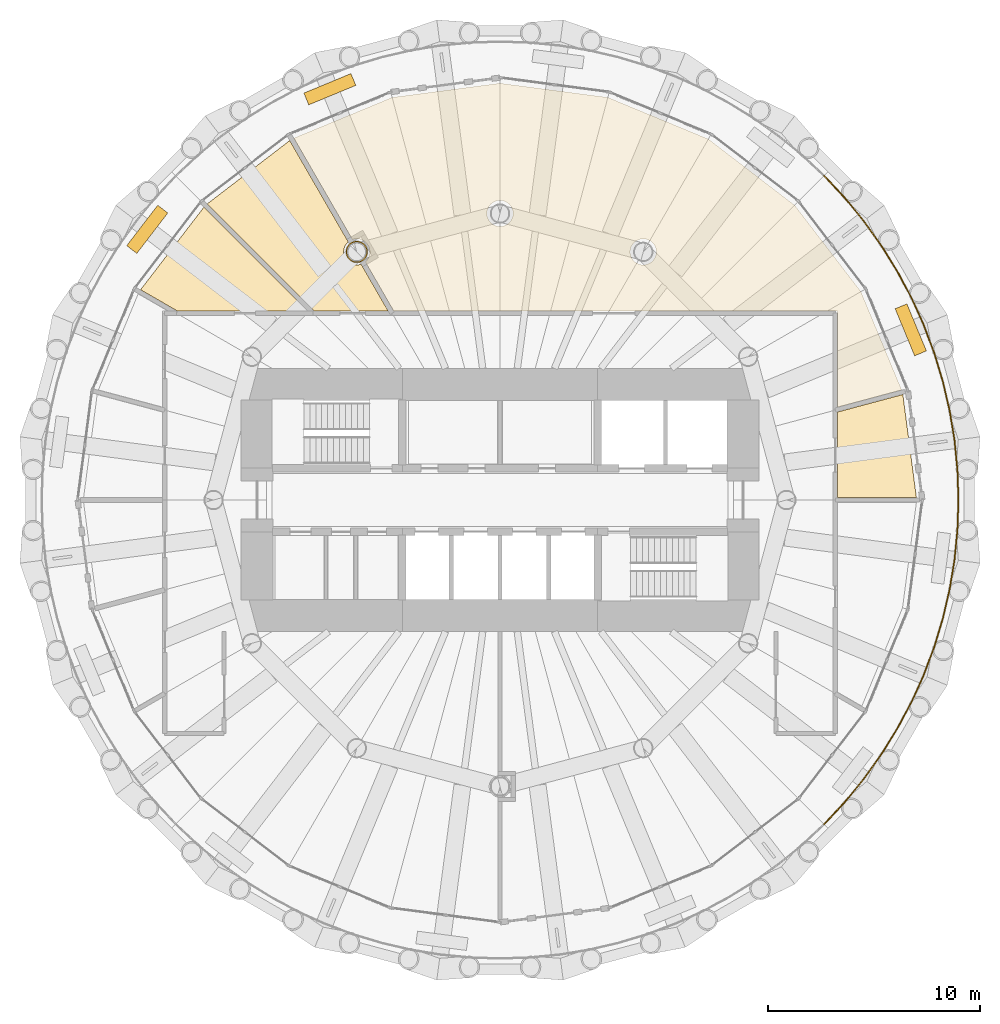
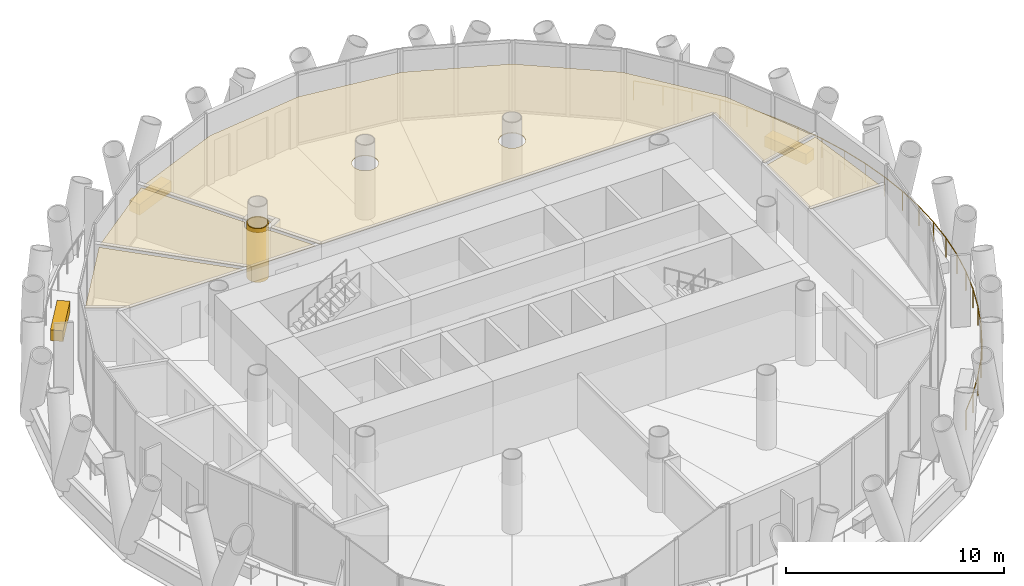
# One storey, part 15 of 16: 8 coverings, 1 railing.
"""IFC4 building model written with IfcOpenShell, lengths in metres."""

from ifc_helpers import new_model, si_unit, direction, frame, origin, origin_2d, place, context, subcontext, project, spatial, polyline, rectangle, circle, outline, extrude, material, layer, layer_set, type_object, element, save


model = new_model("IFC4")

# Units and contexts
model_context = context("Model", 3, precision=1e-05, world=origin(), true_north=direction((0.0, 1.0)))
body_context = subcontext(model_context, "Body", "Model", "MODEL_VIEW")
ifc_project = project(units=[si_unit("LENGTHUNIT", "METRE"), si_unit("AREAUNIT", "SQUARE_METRE"), si_unit("VOLUMEUNIT", "CUBIC_METRE"), si_unit("PLANEANGLEUNIT", "RADIAN"), si_unit("MASSUNIT", "GRAM", prefix="KILO")], contexts=[model_context])

# Site, building, storey
site_placement = place(None, origin())
site = spatial("IfcSite", under=ifc_project, at=site_placement, CompositionType="ELEMENT")
building_placement = place(site_placement, origin())
building = spatial("IfcBuilding", under=site, at=building_placement, Name="Qaws Media Tower", CompositionType="ELEMENT")
storey_placement = place(building_placement, frame((0.0, 0.0, 252.800048828125)))
storey = spatial("IfcBuildingStorey", under=building, at=storey_placement, Name="L58", CompositionType="ELEMENT", Elevation=252.800048828125)

# Coverings
ifc_material_1 = material(Name="40 perforated acoustic panels with mineral wool backing, suspended", Category="mineral fibre")
ifc_layer_1 = layer(ifc_material_1, 0.0400390625)
ifc_layer_set_1 = layer_set([ifc_layer_1], Name="Acoustic panel ceiling 40")
covering_type_1 = type_object("IfcCoveringType", Name="Acoustic panel ceiling 40", PredefinedType="CEILING", material=ifc_layer_set_1)
covering_1_placement = place(storey_placement, frame((0.0, 0.0, 2.849853515625)))
element("IfcCovering", 1, at=covering_1_placement, inside=storey, type_object=covering_type_1, Name="CL3 ceiling L58-03 Bureau newsroom", PredefinedType="CEILING", context=body_context, shape_type="SweptSolid", body=[
    extrude(outline(polyline([(54.91796875, 68.96630859375), (60.0, 69.63525390625), (65.08203125, 68.96630859375), (69.817626953125, 67.004638671875), (73.88427734375, 63.88427734375), (77.004638671875, 59.817626953125), (78.9228515625, 55.186767578125), (75.91259765625, 54.380126953125), (75.91259765625, 58.91259765625), (54.984375, 58.91259765625), (53.650146484375, 61.223388671875), (53.686279296875, 61.255126953125), (53.739501953125, 61.315673828125), (53.7841796875, 61.3828125), (53.820068359375, 61.455078125), (53.845947265625, 61.53173828125), (53.86181640625, 61.61083984375), (53.866943359375, 61.69140625), (53.86181640625, 61.77197265625), (53.845947265625, 61.85107421875), (53.820068359375, 61.927490234375), (53.7841796875, 61.999755859375), (53.739501953125, 62.06689453125), (53.686279296875, 62.127685546875), (53.62548828125, 62.180908203125), (53.55859375, 62.2255859375), (53.486083984375, 62.261474609375), (53.40966796875, 62.287353515625), (53.33056640625, 62.302978515625), (53.25, 62.308349609375), (53.16943359375, 62.302978515625), (53.09033203125, 62.287353515625), (53.044677734375, 62.27197265625), (50.287109375, 67.048095703125), (54.91796875, 68.96630859375)]), holes=[polyline([(60.570068359375, 63.263916015625), (60.595947265625, 63.34033203125), (60.61181640625, 63.41943359375), (60.616943359375, 63.5), (60.61181640625, 63.58056640625), (60.595947265625, 63.65966796875), (60.570068359375, 63.736083984375), (60.5341796875, 63.80859375), (60.489501953125, 63.87548828125), (60.436279296875, 63.936279296875), (60.37548828125, 63.989501953125), (60.30859375, 64.0341796875), (60.236083984375, 64.070068359375), (60.15966796875, 64.095947265625), (60.08056640625, 64.11181640625), (60.0, 64.116943359375), (59.91943359375, 64.11181640625), (59.84033203125, 64.095947265625), (59.763916015625, 64.070068359375), (59.69140625, 64.0341796875), (59.62451171875, 63.989501953125), (59.563720703125, 63.936279296875), (59.510498046875, 63.87548828125), (59.4658203125, 63.80859375), (59.429931640625, 63.736083984375), (59.404052734375, 63.65966796875), (59.38818359375, 63.58056640625), (59.383056640625, 63.5), (59.38818359375, 63.41943359375), (59.404052734375, 63.34033203125), (59.429931640625, 63.263916015625), (59.4658203125, 63.19140625), (59.510498046875, 63.12451171875), (59.563720703125, 63.063720703125), (59.62451171875, 63.010498046875), (59.69140625, 62.9658203125), (59.763916015625, 62.929931640625), (59.84033203125, 62.904052734375), (59.91943359375, 62.88818359375), (60.0, 62.883056640625), (60.08056640625, 62.88818359375), (60.15966796875, 62.904052734375), (60.236083984375, 62.929931640625), (60.30859375, 62.9658203125), (60.37548828125, 63.010498046875), (60.436279296875, 63.063720703125), (60.489501953125, 63.12451171875), (60.5341796875, 63.19140625), (60.570068359375, 63.263916015625)]), polyline([(67.320068359375, 61.455078125), (67.345947265625, 61.53173828125), (67.36181640625, 61.61083984375), (67.366943359375, 61.69140625), (67.36181640625, 61.77197265625), (67.345947265625, 61.85107421875), (67.320068359375, 61.927490234375), (67.2841796875, 61.999755859375), (67.239501953125, 62.06689453125), (67.186279296875, 62.127685546875), (67.12548828125, 62.180908203125), (67.05859375, 62.2255859375), (66.986083984375, 62.261474609375), (66.90966796875, 62.287353515625), (66.83056640625, 62.302978515625), (66.75, 62.308349609375), (66.66943359375, 62.302978515625), (66.59033203125, 62.287353515625), (66.513916015625, 62.261474609375), (66.44140625, 62.2255859375), (66.37451171875, 62.180908203125), (66.313720703125, 62.127685546875), (66.260498046875, 62.06689453125), (66.2158203125, 61.999755859375), (66.179931640625, 61.927490234375), (66.154052734375, 61.85107421875), (66.13818359375, 61.77197265625), (66.133056640625, 61.69140625), (66.13818359375, 61.61083984375), (66.154052734375, 61.53173828125), (66.179931640625, 61.455078125), (66.2158203125, 61.3828125), (66.260498046875, 61.315673828125), (66.313720703125, 61.255126953125), (66.37451171875, 61.201904296875), (66.44140625, 61.156982421875), (66.513916015625, 61.121337890625), (66.59033203125, 61.095458984375), (66.66943359375, 61.07958984375), (66.75, 61.07421875), (66.83056640625, 61.07958984375), (66.90966796875, 61.095458984375), (66.986083984375, 61.121337890625), (67.05859375, 61.156982421875), (67.12548828125, 61.201904296875), (67.186279296875, 61.255126953125), (67.239501953125, 61.315673828125), (67.2841796875, 61.3828125), (67.320068359375, 61.455078125)])]), origin(), (0.0, 0.0, 1.0), 0.0400390625),
])
covering_2_placement = place(storey_placement, frame((0.0, 0.0, 2.849853515625)))
element("IfcCovering", 2, at=covering_2_placement, inside=storey, type_object=covering_type_1, Name="CL3 ceiling L58-04 Broadcast booth", PredefinedType="CEILING", context=body_context, shape_type="SweptSolid", body=[
    extrude(outline(polyline([(50.09228515625, 66.935546875), (52.849853515625, 62.159423828125), (52.813720703125, 62.127685546875), (52.760498046875, 62.06689453125), (52.7158203125, 61.999755859375), (52.679931640625, 61.927490234375), (52.654052734375, 61.85107421875), (52.63818359375, 61.77197265625), (52.633056640625, 61.69140625), (52.63818359375, 61.61083984375), (52.654052734375, 61.53173828125), (52.679931640625, 61.455078125), (52.7158203125, 61.3828125), (52.760498046875, 61.315673828125), (52.813720703125, 61.255126953125), (52.87451171875, 61.201904296875), (52.94140625, 61.156982421875), (53.013916015625, 61.121337890625), (53.09033203125, 61.095458984375), (53.16943359375, 61.07958984375), (53.25, 61.07421875), (53.33056640625, 61.07958984375), (53.40966796875, 61.095458984375), (53.455322265625, 61.11083984375), (54.724609375, 58.91259765625), (51.24658203125, 58.91259765625), (46.205810546875, 63.953369140625), (50.09228515625, 66.935546875)])), origin(), (0.0, 0.0, 1.0), 0.0400390625),
])

# Railing
ifc_material_2 = material(Name="Stainless steel and glass guard", Category="steel")
railing_type = type_object("IfcRailingType", Name="Balcony guard 1100", PredefinedType="GUARDRAIL", material=ifc_material_2)
railing_placement = place(storey_placement, frame((75.2734375, 34.7265625, 0.0)))
element("IfcRailing", 3, at=railing_placement, inside=storey, type_object=railing_type, Name="GR1 balcony guard L58-4", PredefinedType="GUARDRAIL", context=body_context, shape_type="SweptSolid", body=[
    extrude(circle(Radius=0.02392578125, at=origin_2d()), frame((0.0, 0.0, 1.076171875), z_axis=(0.683671032041, 0.729790326017, 0.0), x_axis=(-0.729790326017, 0.683671032041, 0.0)), (0.0, 0.0, 1.0), 1.413330078125),
    extrude(circle(Radius=0.02392578125, at=origin_2d()), frame((0.96630859375, 1.031494140625, 1.076171875), z_axis=(0.634356309919, 0.773040795861, 0.0), x_axis=(-0.773040795861, 0.634356309919, 0.0)), (0.0, 0.0, 1.0), 1.41357421875),
    extrude(circle(Radius=0.02392578125, at=origin_2d()), frame((1.863037109375, 2.124267578125, 1.076171875), z_axis=(0.582446664369, 0.812868921269, 0.0), x_axis=(-0.812868921269, 0.582446664369, 0.0)), (0.0, 0.0, 1.0), 1.413330078125),
    extrude(circle(Radius=0.02392578125, at=origin_2d()), frame((2.686279296875, 3.273193359375, 1.076171875), z_axis=(0.528072180302, 0.849199489161, 0.0), x_axis=(-0.849199489161, 0.528072180302, 0.0)), (0.0, 0.0, 1.0), 1.413330078125),
    extrude(circle(Radius=0.02392578125, at=origin_2d()), frame((3.4326171875, 4.473388671875, 1.076171875), z_axis=(0.471502337511, 0.881864811477, 0.0), x_axis=(-0.881864811477, 0.471502337511, 0.0)), (0.0, 0.0, 1.0), 1.41357421875),
    extrude(circle(Radius=0.02392578125, at=origin_2d()), frame((4.09912109375, 5.719970703125, 1.076171875), z_axis=(0.412618425224, 0.91090396594, 0.0), x_axis=(-0.91090396594, 0.412618425224, 0.0)), (0.0, 0.0, 1.0), 1.41357421875),
    extrude(circle(Radius=0.02392578125, at=origin_2d()), frame((4.682373046875, 7.007568359375, 1.076171875), z_axis=(0.35222117747, 0.935916792317, 0.0), x_axis=(-0.935916792317, 0.35222117747, 0.0)), (0.0, 0.0, 1.0), 1.413330078125),
    extrude(circle(Radius=0.02392578125, at=origin_2d()), frame((5.18017578125, 8.330322265625, 1.076171875), z_axis=(0.290357337206, 0.956918291565, 0.0), x_axis=(-0.956918291565, 0.290357337206, 0.0)), (0.0, 0.0, 1.0), 1.413330078125),
    extrude(circle(Radius=0.02392578125, at=origin_2d()), frame((5.590576171875, 9.682861328125, 1.076171875), z_axis=(0.227104044845, 0.97387050105, 0.0), x_axis=(-0.97387050105, 0.227104044845, 0.0)), (0.0, 0.0, 1.0), 1.41357421875),
    extrude(circle(Radius=0.02392578125, at=origin_2d()), frame((5.91162109375, 11.0595703125, 1.076171875), z_axis=(0.162886222409, 0.986644859384, 0.0), x_axis=(-0.986644859384, 0.162886222409, 0.0)), (0.0, 0.0, 1.0), 1.413330078125),
    extrude(circle(Radius=0.02392578125, at=origin_2d()), frame((6.141845703125, 12.4541015625, 1.076171875), z_axis=(0.097930334174, 0.99519327251, 0.0), x_axis=(-0.99519327251, 0.097930334174, 0.0)), (0.0, 0.0, 1.0), 1.41357421875),
    extrude(circle(Radius=0.02392578125, at=origin_2d()), frame((6.2802734375, 13.86083984375, 1.076171875), z_axis=(0.032820193872, 0.999461272323, 0.0), x_axis=(-0.999461272323, 0.032820193872, 0.0)), (0.0, 0.0, 1.0), 1.413330078125),
    extrude(circle(Radius=0.02392578125, at=origin_2d()), frame((6.32666015625, 15.2734375, 1.076171875), z_axis=(-0.032820193872, 0.999461272323, 0.0), x_axis=(-0.999461272323, -0.032820193872, 0.0)), (0.0, 0.0, 1.0), 1.413330078125),
    extrude(circle(Radius=0.02392578125, at=origin_2d()), frame((6.2802734375, 16.68603515625, 1.076171875), z_axis=(-0.097930334174, 0.99519327251, 0.0), x_axis=(-0.99519327251, -0.097930334174, 0.0)), (0.0, 0.0, 1.0), 1.41357421875),
    extrude(circle(Radius=0.02392578125, at=origin_2d()), frame((6.141845703125, 18.0927734375, 1.076171875), z_axis=(-0.162886222409, 0.986644859384, 0.0), x_axis=(-0.986644859384, -0.162886222409, 0.0)), (0.0, 0.0, 1.0), 1.413330078125),
    extrude(circle(Radius=0.02392578125, at=origin_2d()), frame((5.91162109375, 19.4873046875, 1.076171875), z_axis=(-0.227104044845, 0.97387050105, 0.0), x_axis=(-0.97387050105, -0.227104044845, 0.0)), (0.0, 0.0, 1.0), 1.41357421875),
    extrude(circle(Radius=0.02392578125, at=origin_2d()), frame((5.590576171875, 20.864013671875, 1.076171875), z_axis=(-0.290357337206, 0.956918291565, 0.0), x_axis=(-0.956918291565, -0.290357337206, 0.0)), (0.0, 0.0, 1.0), 1.413330078125),
    extrude(circle(Radius=0.02392578125, at=origin_2d()), frame((5.18017578125, 22.216552734375, 1.076171875), z_axis=(-0.35222117747, 0.935916792317, 0.0), x_axis=(-0.935916792317, -0.35222117747, 0.0)), (0.0, 0.0, 1.0), 1.413330078125),
    extrude(circle(Radius=0.02392578125, at=origin_2d()), frame((4.682373046875, 23.539306640625, 1.076171875), z_axis=(-0.412618425224, 0.91090396594, 0.0), x_axis=(-0.91090396594, -0.412618425224, 0.0)), (0.0, 0.0, 1.0), 1.41357421875),
    extrude(circle(Radius=0.02392578125, at=origin_2d()), frame((4.09912109375, 24.826904296875, 1.076171875), z_axis=(-0.471502337511, 0.881864811477, 0.0), x_axis=(-0.881864811477, -0.471502337511, 0.0)), (0.0, 0.0, 1.0), 1.41357421875),
    extrude(circle(Radius=0.02392578125, at=origin_2d()), frame((3.4326171875, 26.073486328125, 1.076171875), z_axis=(-0.528072180302, 0.849199489161, 0.0), x_axis=(-0.849199489161, -0.528072180302, 0.0)), (0.0, 0.0, 1.0), 1.413330078125),
    extrude(circle(Radius=0.02392578125, at=origin_2d()), frame((2.686279296875, 27.273681640625, 1.076171875), z_axis=(-0.582446664369, 0.812868921269, 0.0), x_axis=(-0.812868921269, -0.582446664369, 0.0)), (0.0, 0.0, 1.0), 1.413330078125),
    extrude(circle(Radius=0.02392578125, at=origin_2d()), frame((1.863037109375, 28.422607421875, 1.076171875), z_axis=(-0.634356309919, 0.773040795861, 0.0), x_axis=(-0.773040795861, -0.634356309919, 0.0)), (0.0, 0.0, 1.0), 1.41357421875),
    extrude(circle(Radius=0.02392578125, at=origin_2d()), frame((0.96630859375, 29.515380859375, 1.076171875), z_axis=(-0.683671032041, 0.729790326017, 0.0), x_axis=(-0.729790326017, -0.683671032041, 0.0)), (0.0, 0.0, 1.0), 1.413330078125),
    extrude(circle(Radius=0.02099609375, at=origin_2d()), origin(), (0.0, 0.0, 1.0), 1.052001953125),
    extrude(circle(Radius=0.02099609375, at=origin_2d()), frame((0.96630859375, 1.031494140625, 0.0)), (0.0, 0.0, 1.0), 1.052001953125),
    extrude(circle(Radius=0.02099609375, at=origin_2d()), frame((1.863037109375, 2.124267578125, 0.0)), (0.0, 0.0, 1.0), 1.052001953125),
    extrude(circle(Radius=0.02099609375, at=origin_2d()), frame((2.686279296875, 3.273193359375, 0.0)), (0.0, 0.0, 1.0), 1.052001953125),
    extrude(circle(Radius=0.02099609375, at=origin_2d()), frame((3.4326171875, 4.473388671875, 0.0)), (0.0, 0.0, 1.0), 1.052001953125),
    extrude(circle(Radius=0.02099609375, at=origin_2d()), frame((4.09912109375, 5.719970703125, 0.0)), (0.0, 0.0, 1.0), 1.052001953125),
    extrude(circle(Radius=0.02099609375, at=origin_2d()), frame((4.682373046875, 7.007568359375, 0.0)), (0.0, 0.0, 1.0), 1.052001953125),
    extrude(circle(Radius=0.02099609375, at=origin_2d()), frame((5.18017578125, 8.330322265625, 0.0)), (0.0, 0.0, 1.0), 1.052001953125),
    extrude(circle(Radius=0.02099609375, at=origin_2d()), frame((5.590576171875, 9.682861328125, 0.0)), (0.0, 0.0, 1.0), 1.052001953125),
    extrude(circle(Radius=0.02099609375, at=origin_2d()), frame((5.91162109375, 11.0595703125, 0.0)), (0.0, 0.0, 1.0), 1.052001953125),
    extrude(circle(Radius=0.02099609375, at=origin_2d()), frame((6.141845703125, 12.4541015625, 0.0)), (0.0, 0.0, 1.0), 1.052001953125),
    extrude(circle(Radius=0.02099609375, at=origin_2d()), frame((6.2802734375, 13.86083984375, 0.0)), (0.0, 0.0, 1.0), 1.052001953125),
    extrude(circle(Radius=0.02099609375, at=origin_2d()), frame((6.32666015625, 15.2734375, 0.0)), (0.0, 0.0, 1.0), 1.052001953125),
    extrude(circle(Radius=0.02099609375, at=origin_2d()), frame((6.2802734375, 16.68603515625, 0.0)), (0.0, 0.0, 1.0), 1.052001953125),
    extrude(circle(Radius=0.02099609375, at=origin_2d()), frame((6.141845703125, 18.0927734375, 0.0)), (0.0, 0.0, 1.0), 1.052001953125),
    extrude(circle(Radius=0.02099609375, at=origin_2d()), frame((5.91162109375, 19.4873046875, 0.0)), (0.0, 0.0, 1.0), 1.052001953125),
    extrude(circle(Radius=0.02099609375, at=origin_2d()), frame((5.590576171875, 20.864013671875, 0.0)), (0.0, 0.0, 1.0), 1.052001953125),
    extrude(circle(Radius=0.02099609375, at=origin_2d()), frame((5.18017578125, 22.216552734375, 0.0)), (0.0, 0.0, 1.0), 1.052001953125),
    extrude(circle(Radius=0.02099609375, at=origin_2d()), frame((4.682373046875, 23.539306640625, 0.0)), (0.0, 0.0, 1.0), 1.052001953125),
    extrude(circle(Radius=0.02099609375, at=origin_2d()), frame((4.09912109375, 24.826904296875, 0.0)), (0.0, 0.0, 1.0), 1.052001953125),
    extrude(circle(Radius=0.02099609375, at=origin_2d()), frame((3.4326171875, 26.073486328125, 0.0)), (0.0, 0.0, 1.0), 1.052001953125),
    extrude(circle(Radius=0.02099609375, at=origin_2d()), frame((2.686279296875, 27.273681640625, 0.0)), (0.0, 0.0, 1.0), 1.052001953125),
    extrude(circle(Radius=0.02099609375, at=origin_2d()), frame((1.863037109375, 28.422607421875, 0.0)), (0.0, 0.0, 1.0), 1.052001953125),
    extrude(circle(Radius=0.02099609375, at=origin_2d()), frame((0.96630859375, 29.515380859375, 0.0)), (0.0, 0.0, 1.0), 1.052001953125),
    extrude(circle(Radius=0.02099609375, at=origin_2d()), frame((0.0, 30.546875, 0.0)), (0.0, 0.0, 1.0), 1.052001953125),
])

# Coverings
ifc_material_3 = material(Name="Two layers 15 fire-rated gypsum board on steel framing", Category="steel")
ifc_layer_2 = layer(ifc_material_3, 0.050048828125)
ifc_layer_set_2 = layer_set([ifc_layer_2], Name="Column fire casing")
covering_type_2 = type_object("IfcCoveringType", Name="Column fire casing", PredefinedType="CLADDING", material=ifc_layer_set_2)
covering_3_placement = place(storey_placement, origin())
element("IfcCovering", 4, at=covering_3_placement, inside=storey, type_object=covering_type_2, Name="CC1 column casing L58", PredefinedType="CLADDING", context=body_context, shape_type="SweptSolid", body=[
    extrude(outline(polyline([(53.761962890625, 61.69140625), (53.757568359375, 61.62451171875), (53.74462890625, 61.558837890625), (53.722900390625, 61.495361328125), (53.693359375, 61.435302734375), (53.65625, 61.379638671875), (53.612060546875, 61.329345703125), (53.561767578125, 61.28515625), (53.506103515625, 61.247802734375), (53.44580078125, 61.21826171875), (53.382568359375, 61.19677734375), (53.31689453125, 61.18359375), (53.25, 61.17919921875), (53.18310546875, 61.18359375), (53.117431640625, 61.19677734375), (53.05419921875, 61.21826171875), (52.993896484375, 61.247802734375), (52.938232421875, 61.28515625), (52.887939453125, 61.329345703125), (52.84375, 61.379638671875), (52.806640625, 61.435302734375), (52.777099609375, 61.495361328125), (52.75537109375, 61.558837890625), (52.742431640625, 61.62451171875), (52.738037109375, 61.69140625), (52.742431640625, 61.75830078125), (52.75537109375, 61.823974609375), (52.777099609375, 61.88720703125), (52.806640625, 61.947265625), (52.84375, 62.0029296875), (52.887939453125, 62.053466796875), (52.938232421875, 62.097412109375), (52.993896484375, 62.134765625), (53.05419921875, 62.164306640625), (53.117431640625, 62.185791015625), (53.18310546875, 62.198974609375), (53.25, 62.203369140625), (53.31689453125, 62.198974609375), (53.382568359375, 62.185791015625), (53.44580078125, 62.164306640625), (53.506103515625, 62.134765625), (53.561767578125, 62.097412109375), (53.612060546875, 62.053466796875), (53.65625, 62.0029296875), (53.693359375, 61.947265625), (53.722900390625, 61.88720703125), (53.74462890625, 61.823974609375), (53.757568359375, 61.75830078125), (53.761962890625, 61.69140625)]), holes=[polyline([(53.7099609375, 61.69140625), (53.7060546875, 61.63134765625), (53.6943359375, 61.572265625), (53.675048828125, 61.515380859375), (53.6484375, 61.461181640625), (53.614990234375, 61.411376953125), (53.5751953125, 61.3662109375), (53.530029296875, 61.326416015625), (53.47998046875, 61.29296875), (53.426025390625, 61.266357421875), (53.369140625, 61.2470703125), (53.31005859375, 61.2353515625), (53.25, 61.231201171875), (53.18994140625, 61.2353515625), (53.130859375, 61.2470703125), (53.073974609375, 61.266357421875), (53.02001953125, 61.29296875), (52.969970703125, 61.326416015625), (52.9248046875, 61.3662109375), (52.885009765625, 61.411376953125), (52.8515625, 61.461181640625), (52.824951171875, 61.515380859375), (52.8056640625, 61.572265625), (52.7939453125, 61.63134765625), (52.7900390625, 61.69140625), (52.7939453125, 61.75146484375), (52.8056640625, 61.810302734375), (52.824951171875, 61.867431640625), (52.8515625, 61.92138671875), (52.885009765625, 61.971435546875), (52.9248046875, 62.0166015625), (52.969970703125, 62.056396484375), (53.02001953125, 62.089599609375), (53.073974609375, 62.1162109375), (53.130859375, 62.1357421875), (53.18994140625, 62.1474609375), (53.25, 62.1513671875), (53.31005859375, 62.1474609375), (53.369140625, 62.1357421875), (53.426025390625, 62.1162109375), (53.47998046875, 62.089599609375), (53.530029296875, 62.056396484375), (53.5751953125, 62.0166015625), (53.614990234375, 61.971435546875), (53.6484375, 61.92138671875), (53.675048828125, 61.867431640625), (53.6943359375, 61.810302734375), (53.7060546875, 61.75146484375), (53.7099609375, 61.69140625)])]), origin(), (0.0, 0.0, 1.0), 3.02001953125),
])
ifc_material_4 = material(Name="600 x 600 mineral fibre tiles in exposed grid, suspended", Category="mineral fibre")
ifc_layer_3 = layer(ifc_material_4, 0.02001953125)
ifc_layer_set_3 = layer_set([ifc_layer_3], Name="Mineral fibre tile ceiling 20")
covering_type_3 = type_object("IfcCoveringType", Name="Mineral fibre tile ceiling 20", PredefinedType="CEILING", material=ifc_layer_set_3)
covering_4_placement = place(storey_placement, frame((0.0, 0.0, 2.849853515625)))
element("IfcCovering", 5, at=covering_4_placement, inside=storey, type_object=covering_type_3, Name="CL1 ceiling L58-05 Edit room", PredefinedType="CEILING", context=body_context, shape_type="SweptSolid", body=[
    extrude(outline(polyline([(46.046630859375, 63.794189453125), (50.928466796875, 58.91259765625), (44.7880859375, 58.91259765625), (43.064453125, 59.90771484375), (46.046630859375, 63.794189453125)])), origin(), (0.0, 0.0, 1.0), 0.02001953125),
])
ifc_material_5 = material(Name="Precast concrete planter with trailing planting", Category="concrete")
ifc_layer_4 = layer(ifc_material_5, 0.60009765625)
ifc_layer_set_4 = layer_set([ifc_layer_4], Name="Planter 2400x600")
covering_type_4 = type_object("IfcCoveringType", Name="Planter 2400x600", PredefinedType="USERDEFINED", material=ifc_layer_set_4)
for number, where, z_axis, x_axis, name in (
    (6, (79.355224609375, 58.017333984375, 0.0), (0.0, 0.0, 1.0), (-0.382683432365, 0.923879532511, 0.0), "PL1 balcony planter L58-01"),
    (7, (51.982666015625, 69.355224609375, 0.0), (0.0, 0.0, 1.0), (-0.923879532511, -0.382683432365, 0.0), "PL1 balcony planter L58-04"),
    (8, (43.379150390625, 62.753662109375, 0.0), (0.0, 0.0, 1.0), (-0.608761429009, -0.793353340291, 0.0), "PL1 balcony planter L58-05"),
):
    element("IfcCovering", number, at=place(storey_placement, frame(where, z_axis=z_axis, x_axis=x_axis)), inside=storey, type_object=covering_type_4, Name=name, ObjectType="PLANTER", PredefinedType="USERDEFINED", context=body_context, shape_type="SweptSolid", body=[
        extrude(rectangle(XDim=2.39990234375, YDim=0.60009765625, at=origin_2d()), origin(), (0.0, 0.0, 1.0), 0.60009765625),
    ])
ifc_material_6 = material(Name="Two layers 12.5 moisture-resistant plasterboard on suspended metal furring", Category="gypsum")
ifc_layer_5 = layer(ifc_material_6, 0.02490234375)
ifc_layer_set_5 = layer_set([ifc_layer_5], Name="Plasterboard ceiling 25")
covering_type_5 = type_object("IfcCoveringType", Name="Plasterboard ceiling 25", PredefinedType="CEILING", material=ifc_layer_set_5)
covering_5_placement = place(storey_placement, frame((0.0, 0.0, 2.849853515625)))
element("IfcCovering", 9, at=covering_5_placement, inside=storey, type_object=covering_type_5, Name="CL2 ceiling L58-02 Bureau reception", PredefinedType="CEILING", context=body_context, shape_type="SweptSolid", body=[
    extrude(outline(polyline([(79.620361328125, 50.112548828125), (75.91259765625, 50.112548828125), (75.91259765625, 54.147216796875), (78.98095703125, 54.969482421875), (79.620361328125, 50.112548828125)])), origin(), (0.0, 0.0, 1.0), 0.025146484375),
])

save(model, "model.ifc")
